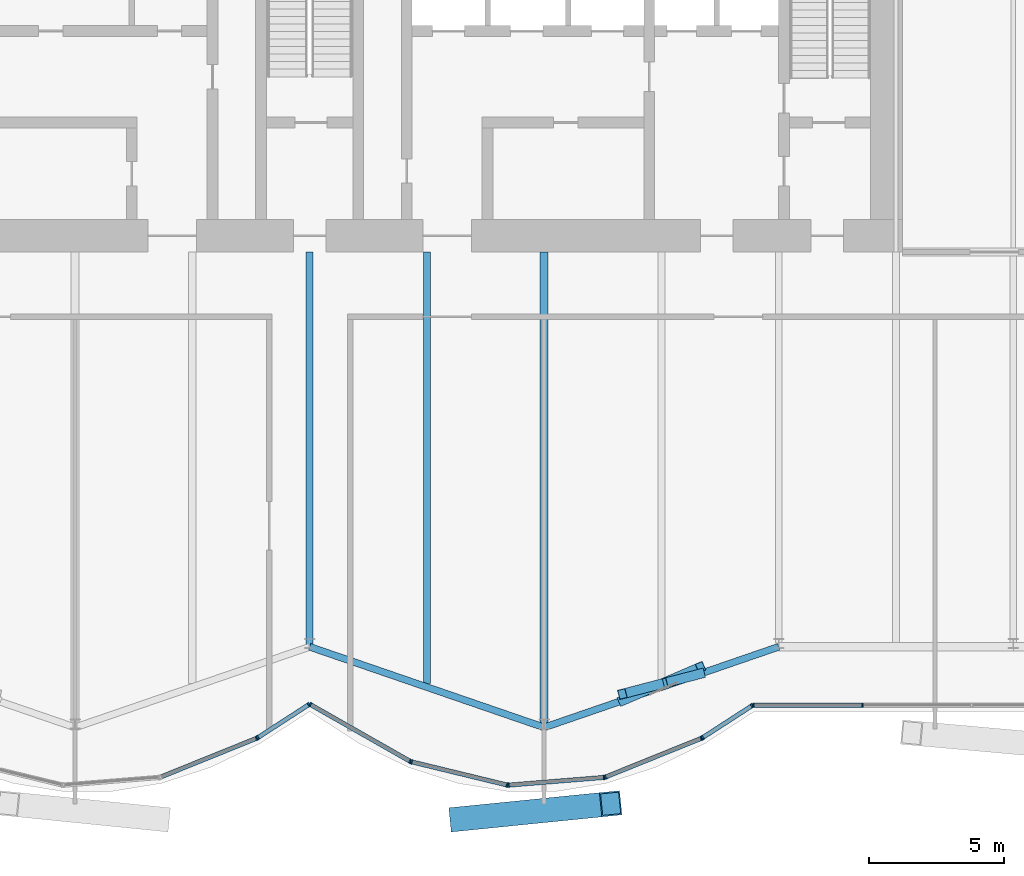
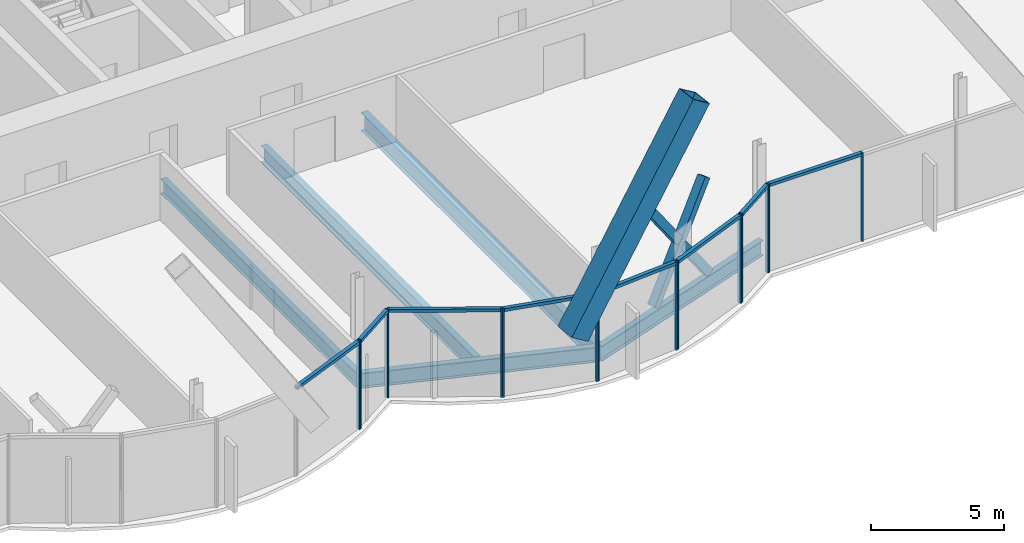
# One storey, part 8 of 20: 27 members, 5 beams, 3 elements without a shape of their own.
"""IFC4 building model written with IfcOpenShell, lengths in metres."""

from ifc_helpers import new_model, si_unit, direction, frame, origin, origin_2d, place, context, subcontext, project, spatial, rectangle, hollow_rectangle, i_section, extrude, material, material_profile, profile_set, type_object, element, aggregate, save


model = new_model("IFC4")

# Units and contexts
model_context = context("Model", 3, precision=1e-05, world=origin(), true_north=direction((0.0, 1.0)))
body_context = subcontext(model_context, "Body", "Model", "MODEL_VIEW")
ifc_project = project(units=[si_unit("LENGTHUNIT", "METRE"), si_unit("AREAUNIT", "SQUARE_METRE"), si_unit("VOLUMEUNIT", "CUBIC_METRE"), si_unit("PLANEANGLEUNIT", "RADIAN"), si_unit("MASSUNIT", "GRAM", prefix="KILO")], contexts=[model_context])

# Site, building, storey
site_placement = place(None, origin())
site = spatial("IfcSite", under=ifc_project, at=site_placement, CompositionType="ELEMENT")
building_placement = place(site_placement, origin())
building = spatial("IfcBuilding", under=site, at=building_placement, Name="Bicima Exchange Tower", CompositionType="ELEMENT")
storey_placement = place(building_placement, frame((0.0, 0.0, 245.60009765625)))
storey = spatial("IfcBuildingStorey", under=building, at=storey_placement, Name="L55", CompositionType="ELEMENT", Elevation=245.60009765625)

# Member
ifc_material_1 = material(Name="Steel ASTM A572 Gr 50", Category="steel")
ifc_material_profile_1 = material_profile(ifc_material_1, hollow_rectangle(XDim=0.89990234375, YDim=0.89990234375, WallThickness=0.050048828125, at=origin_2d()))
ifc_profile_set_1 = profile_set([ifc_material_profile_1], Name="Steel ASTM A572 Gr 50")
member_type_1 = type_object("IfcMemberType", Name="Exo mega brace BOX 900x900x50", PredefinedType="BRACE", material=ifc_profile_set_1)
member_1_placement = place(storey_placement, frame((5.583251953125, -34.027099609375, 3.5), z_axis=(0.543735543775, 0.05463508, 0.837476367708), x_axis=(-0.099977539021, 0.994989694264, 0.0)))
element("IfcMember", 1, at=member_1_placement, inside=storey, type_object=member_type_1, Name="Exo mega brace front", PredefinedType="BRACE", context=body_context, shape_type="SweptSolid", body=[
    extrude(hollow_rectangle(XDim=0.89990234375, YDim=0.89990234375, WallThickness=0.050048828125, at=origin_2d()), origin(), (0.0, 0.0, 1.0), 10.268798828125),
])

# Beams
ifc_material_2 = material(Name="Steel ASTM A992 Gr 50", Category="steel")
ifc_material_profile_2 = material_profile(ifc_material_2, i_section(OverallWidth=0.25390625, OverallDepth=0.67822265625, WebThickness=0.01171875, FlangeThickness=0.016357421875, at=origin_2d()))
ifc_profile_set_2 = profile_set([ifc_material_profile_2], Name="Steel ASTM A992 Gr 50")
beam_type_1 = type_object("IfcBeamType", Name="Floor beam W27x84", PredefinedType="JOIST", material=ifc_profile_set_2)
beam_1_placement = place(storey_placement, frame((0.0, -13.0, -0.4892578125), z_axis=(0.0, -1.0, 0.0), x_axis=(1.0, 0.0, 0.0)))
element("IfcBeam", 2, at=beam_1_placement, inside=storey, type_object=beam_type_1, Name="Floor beam", PredefinedType="JOIST", context=body_context, shape_type="SweptSolid", body=[
    extrude(i_section(OverallWidth=0.25390625, OverallDepth=0.67822265625, WebThickness=0.01171875, FlangeThickness=0.016357421875, at=origin_2d()), origin(), (0.0, 0.0, 1.0), 14.64404296875),
])
ifc_material_profile_3 = material_profile(ifc_material_2, i_section(OverallWidth=0.2666015625, OverallDepth=0.75439453125, WebThickness=0.01318359375, FlangeThickness=0.01708984375, at=origin_2d()))
ifc_profile_set_3 = profile_set([ifc_material_profile_3], Name="Steel ASTM A992 Gr 50")
beam_type_2 = type_object("IfcBeamType", Name="Floor beam W30x99", PredefinedType="JOIST", material=ifc_profile_set_3)
beam_2_placement = place(storey_placement, frame((4.35009765625, -13.0, -0.52734375), z_axis=(0.0, -1.0, 0.0), x_axis=(1.0, 0.0, 0.0)))
element("IfcBeam", 3, at=beam_2_placement, inside=storey, type_object=beam_type_2, Name="Floor beam", PredefinedType="JOIST", context=body_context, shape_type="SweptSolid", body=[
    extrude(i_section(OverallWidth=0.2666015625, OverallDepth=0.75439453125, WebThickness=0.01318359375, FlangeThickness=0.01708984375, at=origin_2d()), origin(), (0.0, 0.0, 1.0), 16.00390625),
])
ifc_material_profile_4 = material_profile(ifc_material_2, i_section(OverallWidth=0.2919921875, OverallDepth=0.835693359375, WebThickness=0.013916015625, FlangeThickness=0.018798828125, at=origin_2d()))
ifc_profile_set_4 = profile_set([ifc_material_profile_4], Name="Steel ASTM A992 Gr 50")
beam_type_3 = type_object("IfcBeamType", Name="Floor beam W33x118", PredefinedType="JOIST", material=ifc_profile_set_4)
beam_3_placement = place(storey_placement, frame((8.699951171875, -13.0, -0.56787109375), z_axis=(0.0, -1.0, 0.0), x_axis=(1.0, 0.0, 0.0)))
element("IfcBeam", 4, at=beam_3_placement, inside=storey, type_object=beam_type_3, Name="Floor beam", PredefinedType="JOIST", context=body_context, shape_type="SweptSolid", body=[
    extrude(i_section(OverallWidth=0.2919921875, OverallDepth=0.835693359375, WebThickness=0.013916015625, FlangeThickness=0.018798828125, at=origin_2d()), origin(), (0.0, 0.0, 1.0), 17.49951171875),
])
ifc_material_profile_5 = material_profile(ifc_material_2, i_section(OverallWidth=0.256591796875, OverallDepth=0.693359375, WebThickness=0.014404296875, FlangeThickness=0.023681640625, at=origin_2d()))
ifc_profile_set_5 = profile_set([ifc_material_profile_5], Name="Steel ASTM A992 Gr 50")
beam_type_4 = type_object("IfcBeamType", Name="Front girder W27x114", PredefinedType="BEAM", material=ifc_profile_set_5)
for number, where, z_axis, x_axis, name in (
    (5, (0.0, -27.64404296875, -0.496826171875), (0.945674616091, -0.32511462668, 0.0), (0.32511462668, 0.945674616091, 0.0), "Front girder"),
    (6, (8.699951171875, -30.635009765625, -0.496826171875), (0.945674616091, 0.32511462668, 0.0), (-0.32511462668, 0.945674616091, 0.0), "Front girder"),
):
    element("IfcBeam", number, at=place(storey_placement, frame(where, z_axis=z_axis, x_axis=x_axis)), inside=storey, type_object=beam_type_4, Name=name, PredefinedType="BEAM", context=body_context, shape_type="SweptSolid", body=[
        extrude(i_section(OverallWidth=0.256591796875, OverallDepth=0.693359375, WebThickness=0.014404296875, FlangeThickness=0.023681640625, at=origin_2d()), origin(), (0.0, 0.0, 1.0), 9.19970703125),
    ])

# Curtain wall, members
ifc_material_3 = material(Name="Anodised bronze aluminium", Category="aluminium")
curtain_wall_type = type_object("IfcCurtainWallType", Name="Front glass wall", PredefinedType="NOTDEFINED", material=ifc_material_3)
curtain_wall_1_placement = place(storey_placement, origin())
curtain_wall_1 = element("IfcCurtainWall", 7, at=curtain_wall_1_placement, inside=storey, type_object=curtain_wall_type, Name="Front glass wall L55 run 6", PredefinedType="NOTDEFINED")
ifc_material_profile_6 = material_profile(ifc_material_3, rectangle(XDim=0.159912109375, YDim=0.06005859375, at=origin_2d()))
ifc_profile_set_6 = profile_set([ifc_material_profile_6], Name="Anodised bronze aluminium")
member_type_2 = type_object("IfcMemberType", Name="Front glass wall mullion 60 x 160", PredefinedType="MULLION", material=ifc_profile_set_6)
member_2_placement = place(storey_placement, frame((-1.97412109375, -31.03955078125, 0.0), z_axis=(0.0, 0.0, 1.0), x_axis=(-0.374705304, 0.92714396679, 0.0)))
member_2 = element("IfcMember", 8, at=member_2_placement, type_object=member_type_2, Name="Front glass wall mullion 2", PredefinedType="MULLION", context=body_context, shape_type="SweptSolid", body=[
    extrude(rectangle(XDim=0.159912109375, YDim=0.06005859375, at=origin_2d()), origin(), (0.0, 0.0, 1.0), 4.0498046875),
])
member_3_placement = place(storey_placement, frame((-1.921142578125, -31.01220703125, 0.0), z_axis=(0.0, 0.0, 1.0), x_axis=(-0.542897457326, 0.839798994301, 0.0)))
member_3 = element("IfcMember", 9, at=member_3_placement, type_object=member_type_2, Name="Front glass wall mullion 1", PredefinedType="MULLION", context=body_context, shape_type="SweptSolid", body=[
    extrude(rectangle(XDim=0.159912109375, YDim=0.06005859375, at=origin_2d()), origin(), (0.0, 0.0, 1.0), 4.0498046875),
])
member_4_placement = place(storey_placement, frame((-0.025146484375, -29.786376953125, 0.0), z_axis=(0.0, 0.0, 1.0), x_axis=(-0.542897457326, 0.839798994301, 0.0)))
member_4 = element("IfcMember", 10, at=member_4_placement, type_object=member_type_2, Name="Front glass wall mullion 2", PredefinedType="MULLION", context=body_context, shape_type="SweptSolid", body=[
    extrude(rectangle(XDim=0.159912109375, YDim=0.06005859375, at=origin_2d()), origin(), (0.0, 0.0, 1.0), 4.0498046875),
])

curtain_wall_2_placement = place(storey_placement, origin())
curtain_wall_2 = element("IfcCurtainWall", 11, at=curtain_wall_2_placement, inside=storey, type_object=curtain_wall_type, Name="Front glass wall L55 run 11", PredefinedType="NOTDEFINED")
member_5_placement = place(storey_placement, frame((0.026123046875, -29.784912109375, 0.0), z_axis=(0.0, 0.0, 1.0), x_axis=(0.494330311331, 0.869274147378, 0.0)))
member_5 = element("IfcMember", 12, at=member_5_placement, type_object=member_type_2, Name="Front glass wall mullion 1", PredefinedType="MULLION", context=body_context, shape_type="SweptSolid", body=[
    extrude(rectangle(XDim=0.159912109375, YDim=0.06005859375, at=origin_2d()), origin(), (0.0, 0.0, 1.0), 4.0498046875),
])
member_6_placement = place(storey_placement, frame((3.7265625, -31.889404296875, 0.0), z_axis=(0.0, 0.0, 1.0), x_axis=(0.494330311331, 0.869274147378, 0.0)))
member_6 = element("IfcMember", 13, at=member_6_placement, type_object=member_type_2, Name="Front glass wall mullion 2", PredefinedType="MULLION", context=body_context, shape_type="SweptSolid", body=[
    extrude(rectangle(XDim=0.159912109375, YDim=0.06005859375, at=origin_2d()), origin(), (0.0, 0.0, 1.0), 4.0498046875),
])
member_7_placement = place(storey_placement, frame((3.781982421875, -31.911376953125, 0.0), z_axis=(0.0, 0.0, 1.0), x_axis=(0.235681529503, 0.971830343553, 0.0)))
member_7 = element("IfcMember", 14, at=member_7_placement, type_object=member_type_2, Name="Front glass wall mullion 1", PredefinedType="MULLION", context=body_context, shape_type="SweptSolid", body=[
    extrude(rectangle(XDim=0.159912109375, YDim=0.06005859375, at=origin_2d()), origin(), (0.0, 0.0, 1.0), 4.0498046875),
])
member_8_placement = place(storey_placement, frame((7.322509765625, -32.77001953125, 0.0), z_axis=(0.0, 0.0, 1.0), x_axis=(0.235681529503, 0.971830343553, 0.0)))
member_8 = element("IfcMember", 15, at=member_8_placement, type_object=member_type_2, Name="Front glass wall mullion 2", PredefinedType="MULLION", context=body_context, shape_type="SweptSolid", body=[
    extrude(rectangle(XDim=0.159912109375, YDim=0.06005859375, at=origin_2d()), origin(), (0.0, 0.0, 1.0), 4.0498046875),
])
member_9_placement = place(storey_placement, frame((7.381591796875, -32.774658203125, 0.0), z_axis=(0.0, 0.0, 1.0), x_axis=(-0.080588612633, 0.99674744821, 0.0)))
member_9 = element("IfcMember", 16, at=member_9_placement, type_object=member_type_2, Name="Front glass wall mullion 1", PredefinedType="MULLION", context=body_context, shape_type="SweptSolid", body=[
    extrude(rectangle(XDim=0.159912109375, YDim=0.06005859375, at=origin_2d()), origin(), (0.0, 0.0, 1.0), 4.0498046875),
])
member_10_placement = place(storey_placement, frame((10.916015625, -32.48876953125, 0.0), z_axis=(0.0, 0.0, 1.0), x_axis=(-0.080588612633, 0.99674744821, 0.0)))
member_10 = element("IfcMember", 17, at=member_10_placement, type_object=member_type_2, Name="Front glass wall mullion 2", PredefinedType="MULLION", context=body_context, shape_type="SweptSolid", body=[
    extrude(rectangle(XDim=0.159912109375, YDim=0.06005859375, at=origin_2d()), origin(), (0.0, 0.0, 1.0), 4.0498046875),
])
member_11_placement = place(storey_placement, frame((10.973876953125, -32.47509765625, 0.0), z_axis=(0.0, 0.0, 1.0), x_axis=(-0.374705304, 0.92714396679, 0.0)))
member_11 = element("IfcMember", 18, at=member_11_placement, type_object=member_type_2, Name="Front glass wall mullion 1", PredefinedType="MULLION", context=body_context, shape_type="SweptSolid", body=[
    extrude(rectangle(XDim=0.159912109375, YDim=0.06005859375, at=origin_2d()), origin(), (0.0, 0.0, 1.0), 4.0498046875),
])
member_12_placement = place(storey_placement, frame((14.52587890625, -31.03955078125, 0.0), z_axis=(0.0, 0.0, 1.0), x_axis=(-0.374705304, 0.92714396679, 0.0)))
member_12 = element("IfcMember", 19, at=member_12_placement, type_object=member_type_2, Name="Front glass wall mullion 2", PredefinedType="MULLION", context=body_context, shape_type="SweptSolid", body=[
    extrude(rectangle(XDim=0.159912109375, YDim=0.06005859375, at=origin_2d()), origin(), (0.0, 0.0, 1.0), 4.0498046875),
])
member_13_placement = place(storey_placement, frame((14.578857421875, -31.01220703125, 0.0), z_axis=(0.0, 0.0, 1.0), x_axis=(-0.542909183079, 0.839791413941, 0.0)))
member_13 = element("IfcMember", 20, at=member_13_placement, type_object=member_type_2, Name="Front glass wall mullion 1", PredefinedType="MULLION", context=body_context, shape_type="SweptSolid", body=[
    extrude(rectangle(XDim=0.159912109375, YDim=0.06005859375, at=origin_2d()), origin(), (0.0, 0.0, 1.0), 4.0498046875),
])
member_14_placement = place(storey_placement, frame((16.406982421875, -29.830322265625, 0.0), z_axis=(0.0, 0.0, 1.0), x_axis=(-0.542909183079, 0.839791413941, 0.0)))
member_14 = element("IfcMember", 21, at=member_14_placement, type_object=member_type_2, Name="Front glass wall mullion 2", PredefinedType="MULLION", context=body_context, shape_type="SweptSolid", body=[
    extrude(rectangle(XDim=0.159912109375, YDim=0.06005859375, at=origin_2d()), origin(), (0.0, 0.0, 1.0), 4.0498046875),
])

curtain_wall_3_placement = place(storey_placement, origin())
curtain_wall_3 = element("IfcCurtainWall", 22, at=curtain_wall_3_placement, inside=storey, type_object=curtain_wall_type, Name="Front glass wall L55 run 16", PredefinedType="NOTDEFINED")
member_15_placement = place(storey_placement, frame((16.462158203125, -29.81396484375, 0.0), z_axis=(0.0, 0.0, 1.0), x_axis=(0.0, 1.0, 0.0)))
member_15 = element("IfcMember", 23, at=member_15_placement, type_object=member_type_2, Name="Front glass wall mullion 1", PredefinedType="MULLION", context=body_context, shape_type="SweptSolid", body=[
    extrude(rectangle(XDim=0.159912109375, YDim=0.06005859375, at=origin_2d()), origin(), (0.0, 0.0, 1.0), 4.0498046875),
])
member_16_placement = place(storey_placement, frame((20.51171875, -29.81396484375, 0.0), z_axis=(0.0, 0.0, 1.0), x_axis=(0.0, 1.0, 0.0)))
member_16 = element("IfcMember", 24, at=member_16_placement, type_object=member_type_2, Name="Front glass wall mullion 2", PredefinedType="MULLION", context=body_context, shape_type="SweptSolid", body=[
    extrude(rectangle(XDim=0.159912109375, YDim=0.06005859375, at=origin_2d()), origin(), (0.0, 0.0, 1.0), 4.0498046875),
])

# Member
ifc_material_profile_7 = material_profile(ifc_material_3, rectangle(XDim=0.159912109375, YDim=0.139892578125, at=origin_2d()))
ifc_profile_set_7 = profile_set([ifc_material_profile_7], Name="Anodised bronze aluminium")
member_type_3 = type_object("IfcMemberType", Name="Front glass wall transom 140 x 160", PredefinedType="USERDEFINED", material=ifc_profile_set_7)
member_17_placement = place(storey_placement, frame((-5.498291015625, -32.4638671875, 3.97998046875), z_axis=(0.927140215882, 0.374714584842, 0.0), x_axis=(-0.374714584842, 0.927140215882, 0.0)))
member_17 = element("IfcMember", 25, at=member_17_placement, type_object=member_type_3, Name="Front glass wall transom 1.1", ObjectType="TRANSOM", PredefinedType="USERDEFINED", context=body_context, shape_type="SweptSolid", body=[
    extrude(rectangle(XDim=0.159912109375, YDim=0.139892578125, at=origin_2d()), origin(), (0.0, 0.0, 1.0), 3.77099609375),
])

member_18_placement = place(storey_placement, frame((-1.89599609375, -30.995849609375, 3.97998046875), z_axis=(0.839811483481, 0.542878137536, 0.0), x_axis=(-0.542878137536, 0.839811483481, 0.0)))
member_18 = element("IfcMember", 26, at=member_18_placement, type_object=member_type_3, Name="Front glass wall transom 1.1", ObjectType="TRANSOM", PredefinedType="USERDEFINED", context=body_context, shape_type="SweptSolid", body=[
    extrude(rectangle(XDim=0.159912109375, YDim=0.139892578125, at=origin_2d()), origin(), (0.0, 0.0, 1.0), 2.19775390625),
])

aggregate(curtain_wall_1, [member_2, member_17, member_3, member_4, member_18])

member_19_placement = place(storey_placement, frame((0.05224609375, -29.7998046875, 3.97998046875), z_axis=(0.869265121745, -0.494346182466, 0.0), x_axis=(0.494346182466, 0.869265121745, 0.0)))
member_19 = element("IfcMember", 27, at=member_19_placement, type_object=member_type_3, Name="Front glass wall transom 1.1", ObjectType="TRANSOM", PredefinedType="USERDEFINED", context=body_context, shape_type="SweptSolid", body=[
    extrude(rectangle(XDim=0.159912109375, YDim=0.139892578125, at=origin_2d()), origin(), (0.0, 0.0, 1.0), 4.19677734375),
])

member_20_placement = place(storey_placement, frame((3.81103515625, -31.918212890625, 3.97998046875), z_axis=(0.971817951661, -0.235732621477, 0.0), x_axis=(0.235732621477, 0.971817951661, 0.0)))
member_20 = element("IfcMember", 28, at=member_20_placement, type_object=member_type_3, Name="Front glass wall transom 1.1", ObjectType="TRANSOM", PredefinedType="USERDEFINED", context=body_context, shape_type="SweptSolid", body=[
    extrude(rectangle(XDim=0.159912109375, YDim=0.139892578125, at=origin_2d()), origin(), (0.0, 0.0, 1.0), 3.58349609375),
])

member_21_placement = place(storey_placement, frame((7.41162109375, -32.772216796875, 3.97998046875), z_axis=(0.9967456465, 0.080610893699, 0.0), x_axis=(-0.080610893699, 0.9967456465, 0.0)))
member_21 = element("IfcMember", 29, at=member_21_placement, type_object=member_type_3, Name="Front glass wall transom 1.1", ObjectType="TRANSOM", PredefinedType="USERDEFINED", context=body_context, shape_type="SweptSolid", body=[
    extrude(rectangle(XDim=0.159912109375, YDim=0.139892578125, at=origin_2d()), origin(), (0.0, 0.0, 1.0), 3.48583984375),
])

member_22_placement = place(storey_placement, frame((11.001708984375, -32.4638671875, 3.97998046875), z_axis=(0.927140215882, 0.374714584842, 0.0), x_axis=(-0.374714584842, 0.927140215882, 0.0)))
member_22 = element("IfcMember", 30, at=member_22_placement, type_object=member_type_3, Name="Front glass wall transom 1.1", ObjectType="TRANSOM", PredefinedType="USERDEFINED", context=body_context, shape_type="SweptSolid", body=[
    extrude(rectangle(XDim=0.159912109375, YDim=0.139892578125, at=origin_2d()), origin(), (0.0, 0.0, 1.0), 3.77099609375),
])

member_23_placement = place(storey_placement, frame((14.60400390625, -30.995849609375, 3.97998046875), z_axis=(0.839792890287, 0.542906899407, 0.0), x_axis=(-0.542906899407, 0.839792890287, 0.0)))
member_23 = element("IfcMember", 31, at=member_23_placement, type_object=member_type_3, Name="Front glass wall transom 1.1", ObjectType="TRANSOM", PredefinedType="USERDEFINED", context=body_context, shape_type="SweptSolid", body=[
    extrude(rectangle(XDim=0.159912109375, YDim=0.139892578125, at=origin_2d()), origin(), (0.0, 0.0, 1.0), 2.11669921875),
])

aggregate(curtain_wall_2, [member_5, member_6, member_19, member_7, member_8, member_20, member_9, member_10, member_21, member_11, member_12, member_22, member_13, member_14, member_23])

member_24_placement = place(storey_placement, frame((16.4921875, -29.81396484375, 3.97998046875), z_axis=(1.0, 0.0, 0.0), x_axis=(0.0, 1.0, 0.0)))
member_24 = element("IfcMember", 32, at=member_24_placement, type_object=member_type_3, Name="Front glass wall transom 1.1", ObjectType="TRANSOM", PredefinedType="USERDEFINED", context=body_context, shape_type="SweptSolid", body=[
    extrude(rectangle(XDim=0.159912109375, YDim=0.139892578125, at=origin_2d()), origin(), (0.0, 0.0, 1.0), 3.989501953125),
])

aggregate(curtain_wall_3, [member_15, member_16, member_24])

# Members
ifc_material_profile_8 = material_profile(ifc_material_1, hollow_rectangle(XDim=0.355712890625, YDim=0.355712890625, WallThickness=0.0146484375, at=origin_2d()))
ifc_profile_set_8 = profile_set([ifc_material_profile_8], Name="Steel ASTM A572 Gr 50")
member_type_4 = type_object("IfcMemberType", Name="Mega brace HSS14x14x5/8", PredefinedType="BRACE", material=ifc_profile_set_8)
member_25_placement = place(storey_placement, frame((11.60009765625, -29.637939453125, 0.0), z_axis=(0.552096787245, 0.236260984136, 0.799606081073), x_axis=(-0.393424148395, 0.919357079409, 0.0)))
element("IfcMember", 33, at=member_25_placement, inside=storey, type_object=member_type_4, Name="Mega brace front", PredefinedType="BRACE", context=body_context, shape_type="SweptSolid", body=[
    extrude(hollow_rectangle(XDim=0.355712890625, YDim=0.355712890625, WallThickness=0.0146484375, at=origin_2d()), origin(), (0.0, 0.0, 1.0), 5.25244140625),
])
for number, where, z_axis, x_axis, name in (
    (34, (14.5, -28.64111328125, 0.0), (-0.562163479751, -0.145918646128, 0.814051577449), (0.251240545014, -0.967924681233, 0.0), "Mega brace front"),
    (35, (12.984375, -29.03466796875, 2.19482421875), (-0.562050310747, -0.145915001309, 0.814130370753), (0.251282057864, -0.96791390495, 0.0), "Mega brace front"),
):
    element("IfcMember", number, at=place(storey_placement, frame(where, z_axis=z_axis, x_axis=x_axis)), inside=storey, type_object=member_type_4, Name=name, PredefinedType="BRACE", context=body_context, shape_type="SweptSolid", body=[
        extrude(hollow_rectangle(XDim=0.355712890625, YDim=0.355712890625, WallThickness=0.0146484375, at=origin_2d()), origin(), (0.0, 0.0, 1.0), 2.462890625),
    ])

save(model, "model.ifc")
